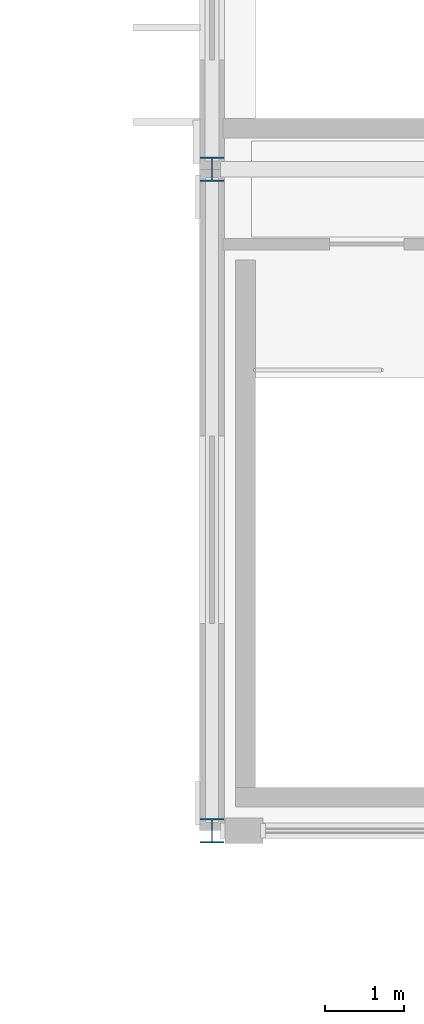
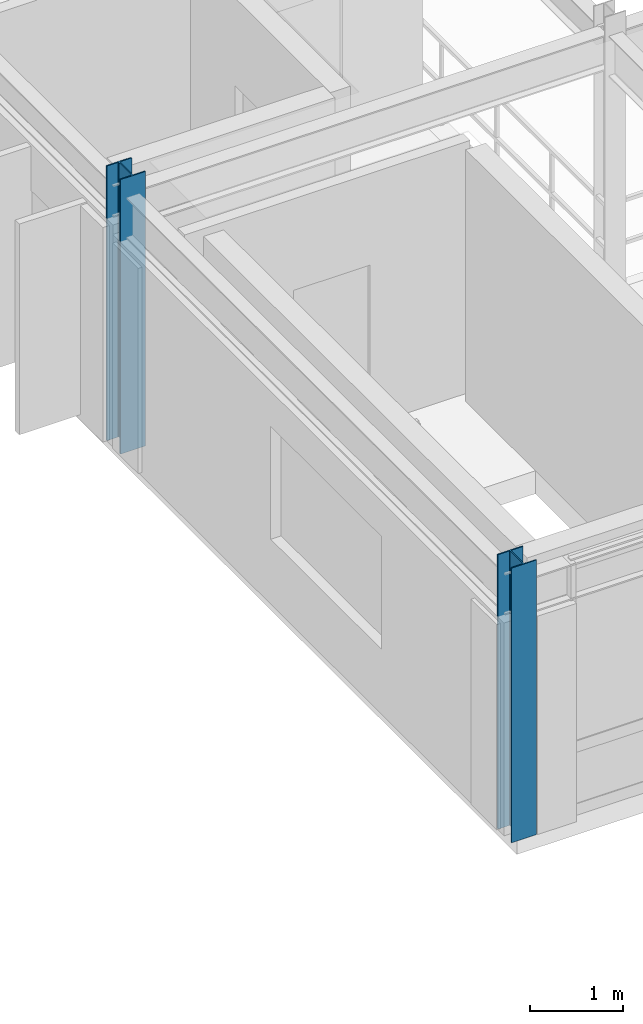
# One storey, part 2 of 88: 2 columns.
"""IFC4 building model written with IfcOpenShell, lengths in metres."""

from ifc_helpers import new_model, si_unit, direction, frame, origin, origin_2d, place, context, subcontext, project, spatial, i_section, extrude, material, material_profile, profile_set, type_object, element, save


model = new_model("IFC4")

# Units and contexts
model_context = context("Model", 3, precision=1e-05, world=origin(), true_north=direction((0.0, 1.0)))
body_context = subcontext(model_context, "Body", "Model", "MODEL_VIEW")
ifc_project = project(units=[si_unit("LENGTHUNIT", "METRE"), si_unit("AREAUNIT", "SQUARE_METRE"), si_unit("VOLUMEUNIT", "CUBIC_METRE"), si_unit("PLANEANGLEUNIT", "RADIAN"), si_unit("MASSUNIT", "GRAM", prefix="KILO"), si_unit("THERMODYNAMICTEMPERATUREUNIT", "KELVIN")], contexts=[model_context])

# Site, building, storey
site_placement = place(None, origin())
site = spatial("IfcSite", under=ifc_project, at=site_placement, CompositionType="ELEMENT")
building_placement = place(site_placement, origin())
building = spatial("IfcBuilding", under=site, at=building_placement, Name="Thalorik Housing Commons", CompositionType="ELEMENT")
storey_placement = place(building_placement, frame((0.0, 0.0, 4.5)))
storey = spatial("IfcBuildingStorey", under=building, at=storey_placement, Name="L01", CompositionType="ELEMENT", Elevation=4.5)

# Columns
ifc_material = material(Name="Steel S355", Category="steel")
ifc_material_profile = material_profile(ifc_material, i_section(OverallWidth=0.31005859375, OverallDepth=0.30810546875, WebThickness=0.015380859375, FlangeThickness=0.015380859375, FilletRadius=0.011962890625, at=origin_2d()), Name="HP310x110", Category="steel")
ifc_profile_set = profile_set([ifc_material_profile], Name="Steel S355")
column_type = type_object("IfcColumnType", Name="STR-COL-HP310", PredefinedType="COLUMN", material=ifc_profile_set)
for number, where, z_axis, x_axis, name in (
    (1, (66.0, 57.60009765625, 0.0), (0.0, 0.0, 1.0), (1.0, 0.0, 0.0), "L01 Column SC-310"),
    (2, (66.0, 66.0, 0.0), (0.0, 0.0, 1.0), (1.0, 0.0, 0.0), "L01 Column SC-310"),
):
    element("IfcColumn", number, at=place(storey_placement, frame(where, z_axis=z_axis, x_axis=x_axis)), inside=storey, type_object=column_type, Name=name, PredefinedType="COLUMN", context=body_context, shape_type="SweptSolid", body=[
        extrude(i_section(OverallWidth=0.31005859375, OverallDepth=0.30810546875, WebThickness=0.015380859375, FlangeThickness=0.015380859375, FilletRadius=0.011962890625, at=origin_2d()), origin(), (0.0, 0.0, 1.0), 3.60009765625),
    ])

save(model, "model.ifc")
